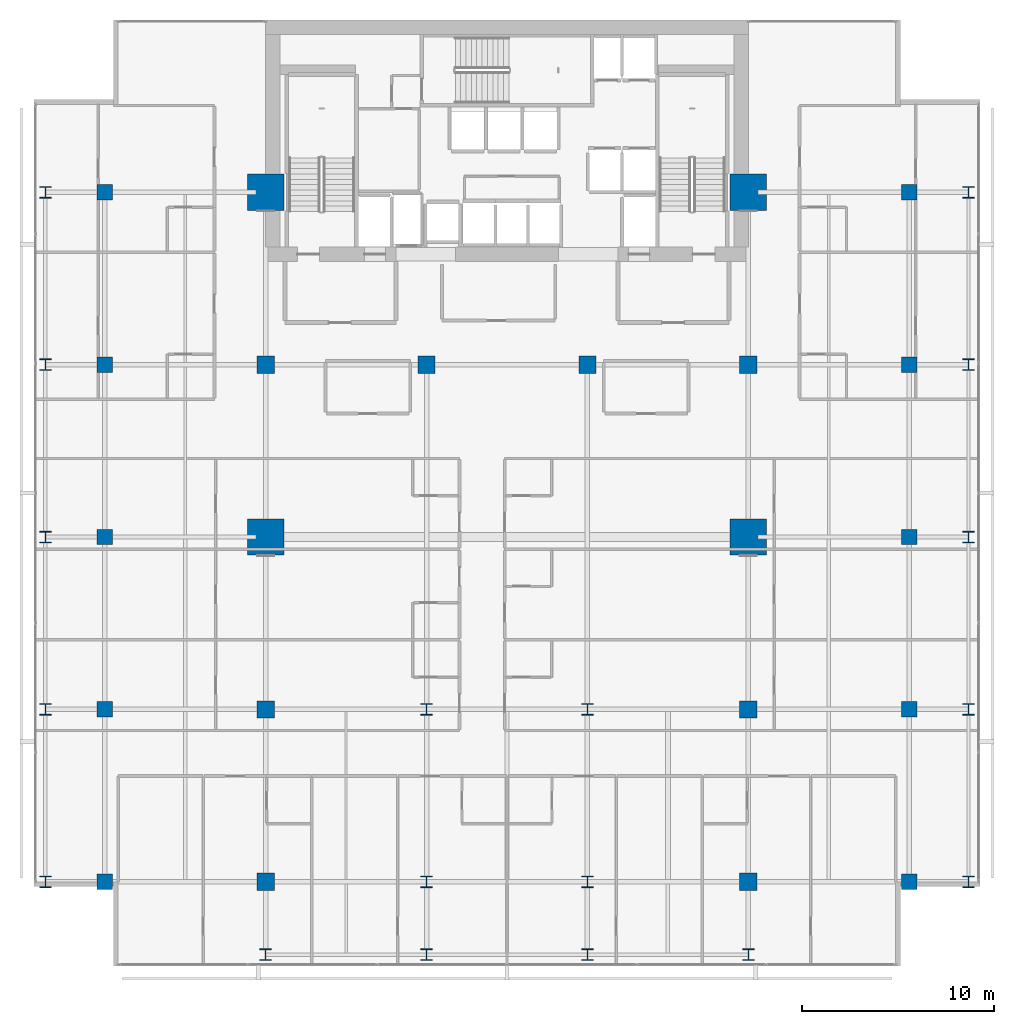
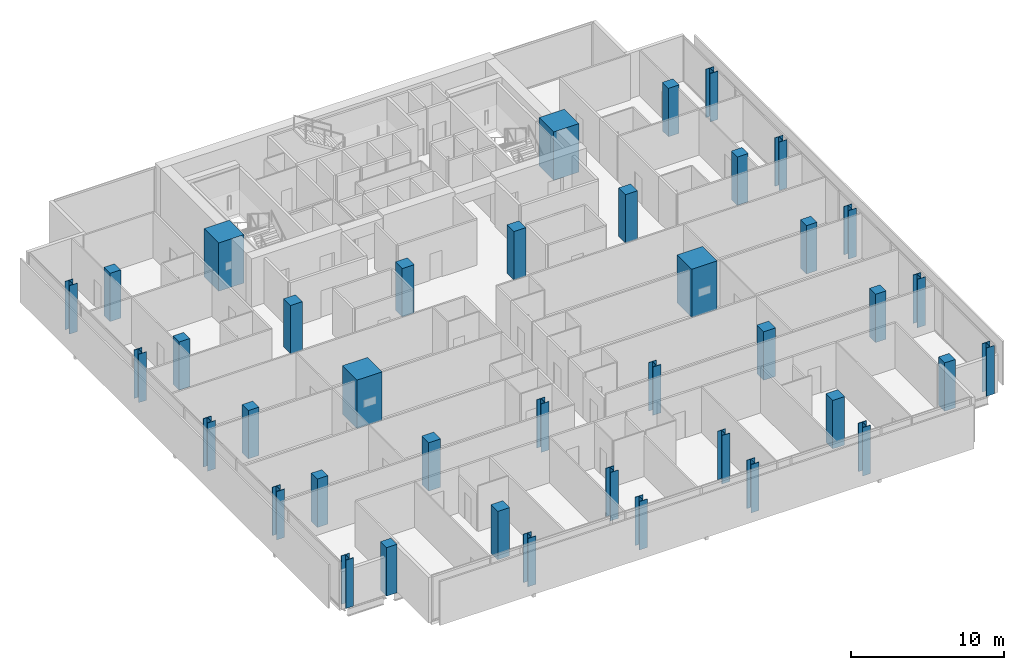
# One storey, part 1 of 33: 40 columns.
"""IFC4 building model written with IfcOpenShell, lengths in metres."""

from ifc_helpers import new_model, si_unit, direction, frame, origin, origin_2d, place, context, subcontext, project, spatial, rectangle, i_section, extrude, material, material_profile, profile_set, type_object, element, save


model = new_model("IFC4")

# Units and contexts
model_context = context("Model", 3, precision=1e-05, world=origin(), true_north=direction((0.0, 1.0)))
body_context = subcontext(model_context, "Body", "Model", "MODEL_VIEW")
ifc_project = project(units=[si_unit("LENGTHUNIT", "METRE"), si_unit("AREAUNIT", "SQUARE_METRE"), si_unit("VOLUMEUNIT", "CUBIC_METRE"), si_unit("PLANEANGLEUNIT", "RADIAN"), si_unit("MASSUNIT", "GRAM", prefix="KILO")], contexts=[model_context])

# Site, building, storey
site_placement = place(None, origin())
site = spatial("IfcSite", under=ifc_project, at=site_placement, CompositionType="ELEMENT")
building_placement = place(site_placement, origin())
building = spatial("IfcBuilding", under=site, at=building_placement, Name="Maruvema Waterfront Hotel and Observation Tower", CompositionType="ELEMENT")
storey_placement = place(building_placement, frame((0.0, 0.0, 138.949951171875)))
storey = spatial("IfcBuildingStorey", under=building, at=storey_placement, Name="L33", CompositionType="ELEMENT", Elevation=138.949951171875)

# Columns
ifc_material_1 = material(Name="Concrete C80/95", Category="concrete")
ifc_material_profile_1 = material_profile(ifc_material_1, rectangle(XDim=1.89990234375, YDim=1.89990234375, at=origin_2d()), Name="MC1900x1900")
ifc_profile_set_1 = profile_set([ifc_material_profile_1], Name="Concrete C80/95")
column_type_1 = type_object("IfcColumnType", Name="Continuous Mega-Column MC1900x1900", PredefinedType="COLUMN", material=ifc_profile_set_1)
for number, where, z_axis, x_axis, name in (
    (1, (25.199951171875, 27.0, 0.0), (0.0, 0.0, 1.0), (1.0, 0.0, 0.0), "L33 Continuous Mega-Column MC-01"),
    (2, (50.39990234375, 27.0, 0.0), (0.0, 0.0, 1.0), (1.0, 0.0, 0.0), "L33 Continuous Mega-Column MC-02"),
    (3, (25.199951171875, 45.0, 0.0), (0.0, 0.0, 1.0), (1.0, 0.0, 0.0), "L33 Continuous Mega-Column MC-03"),
    (4, (50.39990234375, 45.0, 0.0), (0.0, 0.0, 1.0), (1.0, 0.0, 0.0), "L33 Continuous Mega-Column MC-04"),
):
    element("IfcColumn", number, at=place(storey_placement, frame(where, z_axis=z_axis, x_axis=x_axis)), inside=storey, type_object=column_type_1, Name=name, PredefinedType="COLUMN", context=body_context, shape_type="SweptSolid", body=[
        extrude(rectangle(XDim=1.89990234375, YDim=1.89990234375, at=origin_2d()), origin(), (0.0, 0.0, 1.0), 3.85009765625),
    ])
ifc_material_2 = material(Name="Concrete C60/75", Category="concrete")
ifc_material_profile_2 = material_profile(ifc_material_2, rectangle(XDim=0.800048828125, YDim=0.800048828125, at=origin_2d()), Name="RC800x800")
ifc_profile_set_2 = profile_set([ifc_material_profile_2], Name="Concrete C60/75")
column_type_2 = type_object("IfcColumnType", Name="Reinforced Concrete Column RC800x800", PredefinedType="COLUMN", material=ifc_profile_set_2)
for number, where, z_axis, x_axis, name in (
    (5, (16.800048828125, 9.0, 0.0), (0.0, 0.0, 1.0), (1.0, 0.0, 0.0), "L33 Column C-3Y9"),
    (6, (58.800048828125, 9.0, 0.0), (0.0, 0.0, 1.0), (1.0, 0.0, 0.0), "L33 Column C-8Y9"),
    (7, (16.800048828125, 18.0, 0.0), (0.0, 0.0, 1.0), (1.0, 0.0, 0.0), "L33 Column C-3Y18"),
    (8, (58.800048828125, 18.0, 0.0), (0.0, 0.0, 1.0), (1.0, 0.0, 0.0), "L33 Column C-8Y18"),
    (9, (16.800048828125, 27.0, 0.0), (0.0, 0.0, 1.0), (1.0, 0.0, 0.0), "L33 Column C-3Y27"),
    (10, (58.800048828125, 27.0, 0.0), (0.0, 0.0, 1.0), (1.0, 0.0, 0.0), "L33 Column C-8Y27"),
    (11, (16.800048828125, 36.0, 0.0), (0.0, 0.0, 1.0), (1.0, 0.0, 0.0), "L33 Column C-3Y36"),
    (12, (58.800048828125, 36.0, 0.0), (0.0, 0.0, 1.0), (1.0, 0.0, 0.0), "L33 Column C-8Y36"),
    (13, (16.800048828125, 45.0, 0.0), (0.0, 0.0, 1.0), (1.0, 0.0, 0.0), "L33 Column C-3Y45"),
    (14, (58.800048828125, 45.0, 0.0), (0.0, 0.0, 1.0), (1.0, 0.0, 0.0), "L33 Column C-8Y45"),
):
    element("IfcColumn", number, at=place(storey_placement, frame(where, z_axis=z_axis, x_axis=x_axis)), inside=storey, type_object=column_type_2, Name=name, PredefinedType="COLUMN", context=body_context, shape_type="SweptSolid", body=[
        extrude(rectangle(XDim=0.800048828125, YDim=0.800048828125, at=origin_2d()), origin(), (0.0, 0.0, 1.0), 3.85009765625),
    ])
ifc_material_3 = material(Name="Concrete C60/75", Category="concrete")
ifc_material_profile_3 = material_profile(ifc_material_3, rectangle(XDim=0.89990234375, YDim=0.89990234375, at=origin_2d()), Name="RC900x900")
ifc_profile_set_3 = profile_set([ifc_material_profile_3], Name="Concrete C60/75")
column_type_3 = type_object("IfcColumnType", Name="Reinforced Concrete Column RC900x900", PredefinedType="COLUMN", material=ifc_profile_set_3)
for number, where, z_axis, x_axis, name in (
    (15, (25.199951171875, 36.0, 0.0), (0.0, 0.0, 1.0), (1.0, 0.0, 0.0), "L33 Column C-4E"),
    (16, (33.60009765625, 36.0, 0.0), (0.0, 0.0, 1.0), (1.0, 0.0, 0.0), "L33 Column C-5E"),
    (17, (42.0, 36.0, 0.0), (0.0, 0.0, 1.0), (1.0, 0.0, 0.0), "L33 Column C-6E"),
    (18, (50.39990234375, 36.0, 0.0), (0.0, 0.0, 1.0), (1.0, 0.0, 0.0), "L33 Column C-7E"),
    (19, (25.199951171875, 18.0, 0.0), (0.0, 0.0, 1.0), (1.0, 0.0, 0.0), "L33 Column C-4C"),
    (20, (50.39990234375, 18.0, 0.0), (0.0, 0.0, 1.0), (1.0, 0.0, 0.0), "L33 Column C-7C"),
    (21, (25.199951171875, 9.0, 0.0), (0.0, 0.0, 1.0), (1.0, 0.0, 0.0), "L33 Column C-4B"),
    (22, (50.39990234375, 9.0, 0.0), (0.0, 0.0, 1.0), (1.0, 0.0, 0.0), "L33 Column C-7B"),
):
    element("IfcColumn", number, at=place(storey_placement, frame(where, z_axis=z_axis, x_axis=x_axis)), inside=storey, type_object=column_type_3, Name=name, PredefinedType="COLUMN", context=body_context, shape_type="SweptSolid", body=[
        extrude(rectangle(XDim=0.89990234375, YDim=0.89990234375, at=origin_2d()), origin(), (0.0, 0.0, 1.0), 3.85009765625),
    ])
ifc_material_4 = material(Name="Steel ABNT NBR 7007 AR 415 (ASTM A572 Grade 50)", Category="steel")
ifc_material_profile_4 = material_profile(ifc_material_4, i_section(OverallWidth=0.60009765625, OverallDepth=0.60009765625, WebThickness=0.02490234375, FlangeThickness=0.0380859375, at=origin_2d()), Name="CVS600x317")
ifc_profile_set_4 = profile_set([ifc_material_profile_4], Name="Steel ABNT NBR 7007 AR 415 (ASTM A572 Grade 50)")
column_type_4 = type_object("IfcColumnType", Name="Structural Steel Column CVS600x317", PredefinedType="COLUMN", material=ifc_profile_set_4)
for number, where, z_axis, x_axis, name in (
    (23, (33.60009765625, 9.0, 0.0), (0.0, 0.0, 1.0), (1.0, 0.0, 0.0), "L33 Column C-5B"),
    (24, (42.0, 9.0, 0.0), (0.0, 0.0, 1.0), (1.0, 0.0, 0.0), "L33 Column C-6B"),
    (25, (33.60009765625, 18.0, 0.0), (0.0, 0.0, 1.0), (1.0, 0.0, 0.0), "L33 Column C-5C"),
    (26, (42.0, 18.0, 0.0), (0.0, 0.0, 1.0), (1.0, 0.0, 0.0), "L33 Column C-6C"),
    (27, (13.699951171875, 9.0, 0.0), (0.0, 0.0, 1.0), (1.0, 0.0, 0.0), "L33 Column C-Z2W9"),
    (28, (61.89990234375, 9.0, 0.0), (0.0, 0.0, 1.0), (1.0, 0.0, 0.0), "L33 Column C-Z2E9"),
    (29, (13.699951171875, 18.0, 0.0), (0.0, 0.0, 1.0), (1.0, 0.0, 0.0), "L33 Column C-Z2W18"),
    (30, (61.89990234375, 18.0, 0.0), (0.0, 0.0, 1.0), (1.0, 0.0, 0.0), "L33 Column C-Z2E18"),
    (31, (13.699951171875, 27.0, 0.0), (0.0, 0.0, 1.0), (1.0, 0.0, 0.0), "L33 Column C-Z2W27"),
    (32, (61.89990234375, 27.0, 0.0), (0.0, 0.0, 1.0), (1.0, 0.0, 0.0), "L33 Column C-Z2E27"),
    (33, (13.699951171875, 36.0, 0.0), (0.0, 0.0, 1.0), (1.0, 0.0, 0.0), "L33 Column C-Z2W36"),
    (34, (61.89990234375, 36.0, 0.0), (0.0, 0.0, 1.0), (1.0, 0.0, 0.0), "L33 Column C-Z2E36"),
    (35, (13.699951171875, 45.0, 0.0), (0.0, 0.0, 1.0), (1.0, 0.0, 0.0), "L33 Column C-Z2W45"),
    (36, (61.89990234375, 45.0, 0.0), (0.0, 0.0, 1.0), (1.0, 0.0, 0.0), "L33 Column C-Z2E45"),
    (37, (25.199951171875, 5.199951171875, 0.0), (0.0, 0.0, 1.0), (1.0, 0.0, 0.0), "L33 Column C-Z2S4"),
    (38, (33.60009765625, 5.199951171875, 0.0), (0.0, 0.0, 1.0), (1.0, 0.0, 0.0), "L33 Column C-Z2S5"),
    (39, (42.0, 5.199951171875, 0.0), (0.0, 0.0, 1.0), (1.0, 0.0, 0.0), "L33 Column C-Z2S6"),
    (40, (50.39990234375, 5.199951171875, 0.0), (0.0, 0.0, 1.0), (1.0, 0.0, 0.0), "L33 Column C-Z2S7"),
):
    element("IfcColumn", number, at=place(storey_placement, frame(where, z_axis=z_axis, x_axis=x_axis)), inside=storey, type_object=column_type_4, Name=name, PredefinedType="COLUMN", context=body_context, shape_type="SweptSolid", body=[
        extrude(i_section(OverallWidth=0.60009765625, OverallDepth=0.60009765625, WebThickness=0.02490234375, FlangeThickness=0.0380859375, at=origin_2d()), origin(), (0.0, 0.0, 1.0), 3.85009765625),
    ])

save(model, "model.ifc")
